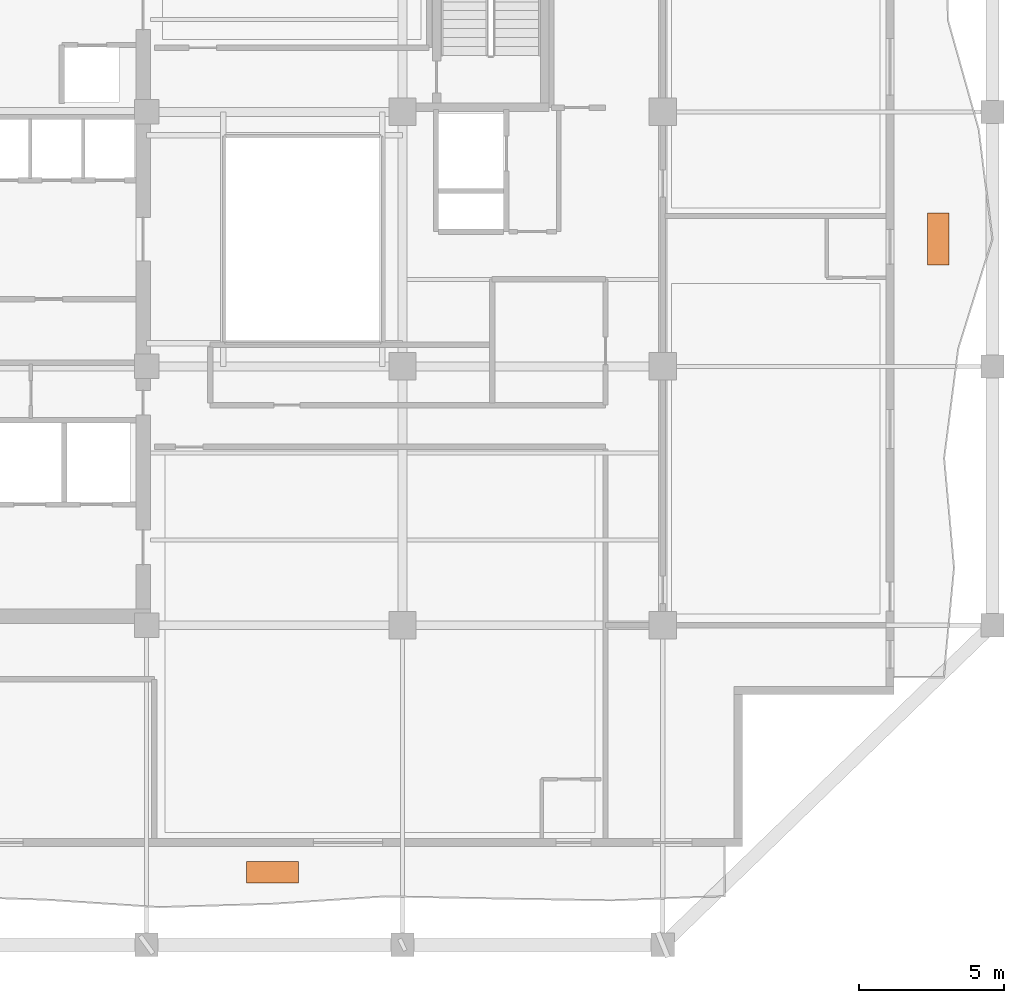
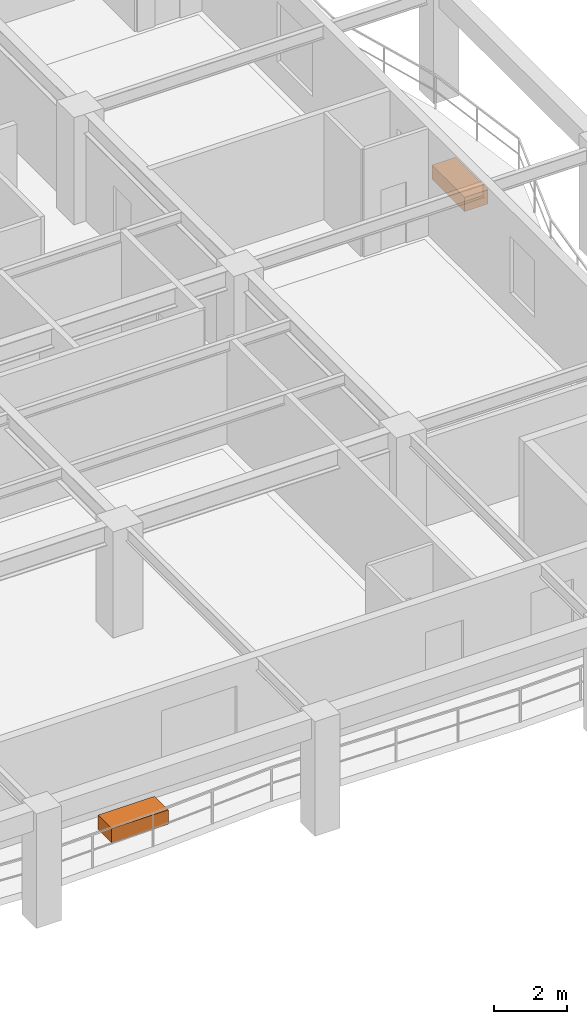
# One storey, part 12 of 12: 2 proxies.
"""IFC4 building model written with IfcOpenShell, lengths in metres."""

from ifc_helpers import new_model, si_unit, direction, frame, origin, origin_2d, place, context, subcontext, project, spatial, rectangle, extrude, material, type_object, element, save


model = new_model("IFC4")

# Units and contexts
model_context = context("Model", 3, precision=1e-05, world=origin(), true_north=direction((0.0, 1.0)))
body_context = subcontext(model_context, "Body", "Model", "MODEL_VIEW")
ifc_project = project(units=[si_unit("LENGTHUNIT", "METRE"), si_unit("AREAUNIT", "SQUARE_METRE"), si_unit("VOLUMEUNIT", "CUBIC_METRE"), si_unit("PLANEANGLEUNIT", "RADIAN"), si_unit("MASSUNIT", "GRAM", prefix="KILO")], contexts=[model_context])

# Site, building, storey
site_placement = place(None, origin())
site = spatial("IfcSite", under=ifc_project, at=site_placement, CompositionType="ELEMENT")
building_placement = place(site_placement, origin())
building = spatial("IfcBuilding", under=site, at=building_placement, Name="Kundavana Baori Tower", CompositionType="ELEMENT")
storey_placement = place(building_placement, frame((0.0, 0.0, 157.89990234375)))
storey = spatial("IfcBuildingStorey", under=building, at=storey_placement, Name="L38", CompositionType="ELEMENT", Elevation=157.89990234375)

# Proxies
ifc_material = material(Name="Red-Buff Dholpur Sandstone Cladding on Concrete C40/50", Category="masonry")
building_element_proxy_type = type_object("IfcBuildingElementProxyType", Name="PRX-PLANTER-1800", PredefinedType="USERDEFINED", material=ifc_material)
for number, where, z_axis, x_axis, name in (
    (1, (29.300048828125, 6.7041015625, 0.0), (0.0, 0.0, 1.0), (1.0, 0.0, 0.0), "L38 Dholpur Stone Structural Tree Planter S"),
    (2, (52.330078125, 28.60009765625, 0.0), (0.0, 0.0, 1.0), (0.0, 1.0, 0.0), "L38 Dholpur Stone Structural Tree Planter E"),
):
    element("IfcBuildingElementProxy", number, at=place(storey_placement, frame(where, z_axis=z_axis, x_axis=x_axis)), inside=storey, type_object=building_element_proxy_type, Name=name, ObjectType="PLANTER", PredefinedType="USERDEFINED", context=body_context, shape_type="SweptSolid", body=[
        extrude(rectangle(XDim=1.800048828125, YDim=0.75, at=origin_2d()), origin(), (0.0, 0.0, 1.0), 0.47998046875),
    ])

save(model, "model.ifc")
